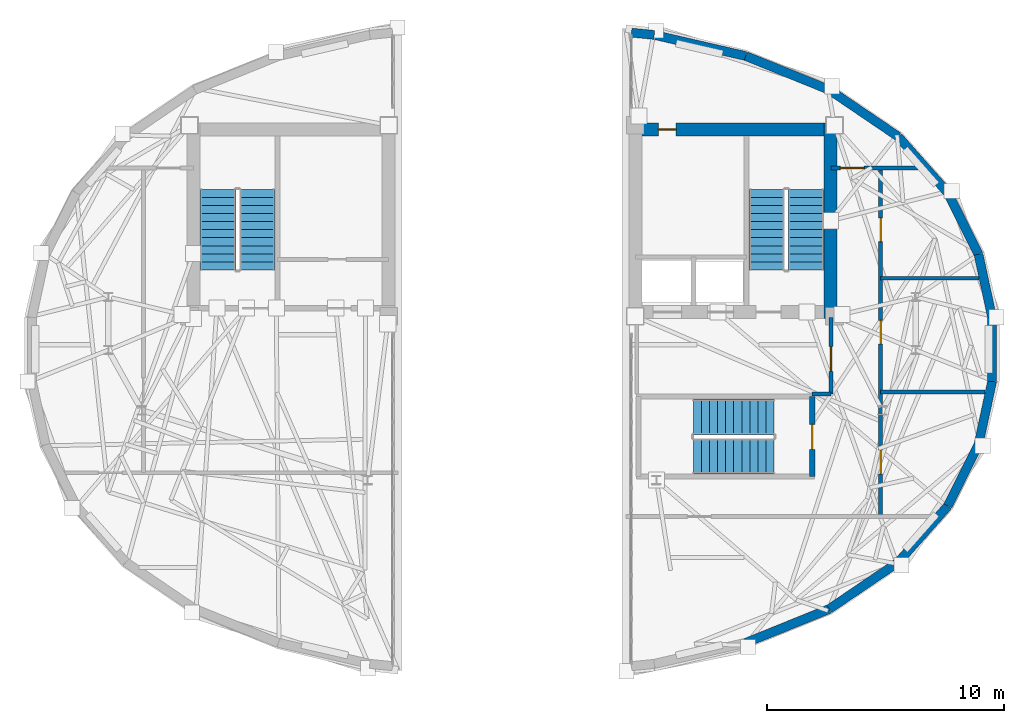
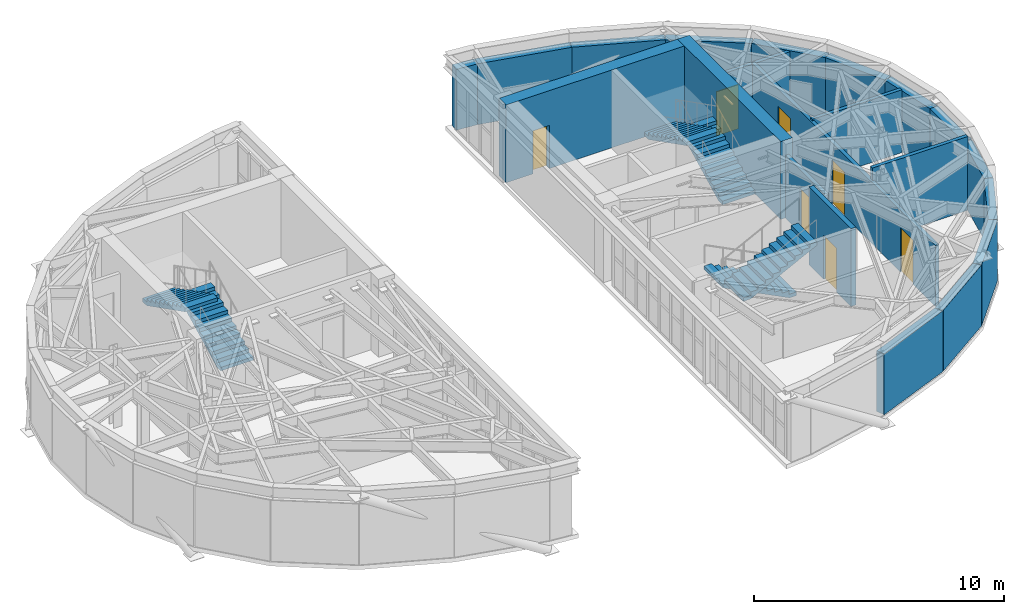
# One storey, part 10 of 13: 22 walls, 7 doors, 6 stair flights, 7 openings, 3 elements without a shape of their own.
"""IFC4 building model written with IfcOpenShell, lengths in metres."""

import ifcopenshell
import ifcopenshell.guid

model = None  # the IFC model being written
_history = None  # IfcOwnerHistory: only IFC2X3 demands one
_inside = {}  # id of a spatial element -> (the spatial element, [elements in it])
_under = {}  # id of a project, library or spatial element -> (it, [spatial elements below it])
_declared = {}  # id of a project -> (the project, [libraries it declares])
_typed = {}  # id of a type object -> (the type object, [elements of that type])
_made_of = {}  # id of a material, layer set ... -> (it, [elements and type objects made of it])


def new_model(schema):
    """Start an empty IFC model of exactly this schema.

    Asked for "IFC4X3", IfcOpenShell would pick the latest addendum, in which some entities
    have other attributes; the version numbers below select the first issue.
    IFC2X3 requires an IfcOwnerHistory on every rooted entity: one is made here for all.
    """
    global model, _history
    if schema == "IFC4X3":
        model = ifcopenshell.file(schema_version=(4, 3, 0, 0))
    else:
        model = ifcopenshell.file(schema=schema)
    _inside.clear()
    _under.clear()
    _declared.clear()
    _typed.clear()
    _made_of.clear()
    _history = None
    if model.schema == "IFC2X3":
        org = make("IfcOrganization", Name="unknown")
        user = make(
            "IfcPersonAndOrganization",
            ThePerson=make("IfcPerson", FamilyName="unknown"),
            TheOrganization=org,
        )
        app = make(
            "IfcApplication",
            ApplicationDeveloper=org,
            Version="unknown",
            ApplicationFullName="unknown",
            ApplicationIdentifier="unknown",
        )
        _history = make(
            "IfcOwnerHistory",
            OwningUser=user,
            OwningApplication=app,
            ChangeAction="ADDED",
            CreationDate=0,
        )
    return model


def make(cls, **values):
    """One entity of the class cls with the attributes given. An attribute that is None is left unset."""
    return model.create_entity(
        cls, **{name: value for name, value in values.items() if value is not None}
    )


def rooted(cls, **values):
    """An entity with a GlobalId (a new one), such as an element, a storey or a relation."""
    return make(cls, GlobalId=ifcopenshell.guid.new(), OwnerHistory=_history, **values)


def si_unit(unit_type, name, prefix=None):
    """IfcSIUnit, for example si_unit("LENGTHUNIT", "METRE", prefix="MILLI")."""
    return make("IfcSIUnit", UnitType=unit_type, Prefix=prefix, Name=name)


def assignment(units):
    """IfcUnitAssignment: the units of a project."""
    return None if units is None else make("IfcUnitAssignment", Units=units)


def point(xyz):
    """IfcCartesianPoint."""
    return None if xyz is None else make("IfcCartesianPoint", Coordinates=xyz)


def direction(xyz):
    """IfcDirection."""
    return None if xyz is None else make("IfcDirection", DirectionRatios=xyz)


def frame(location, z_axis=None, x_axis=None):
    """IfcAxis2Placement3D, a coordinate frame: its origin and axes. An axis left out is left unset."""
    return make(
        "IfcAxis2Placement3D",
        Location=point(location),
        Axis=direction(z_axis),
        RefDirection=direction(x_axis),
    )


def frame_2d(location, x_axis=None):
    """IfcAxis2Placement2D, a coordinate frame in the plane: its origin and x axis."""
    return make(
        "IfcAxis2Placement2D", Location=point(location), RefDirection=direction(x_axis)
    )


def origin():
    """The frame at (0, 0, 0) with its axes left unset."""
    return frame((0.0, 0.0, 0.0))


def place(relative_to, where):
    """IfcLocalPlacement: puts the frame where relative to a parent placement (None: the world)."""
    return make(
        "IfcLocalPlacement", PlacementRelTo=relative_to, RelativePlacement=where
    )


def context(
    kind, dimensions, precision=None, world=None, true_north=None, identifier=None
):
    """IfcGeometricRepresentationContext, for example the 3D "Model" context."""
    return make(
        "IfcGeometricRepresentationContext",
        ContextIdentifier=identifier,
        ContextType=kind,
        CoordinateSpaceDimension=dimensions,
        Precision=precision,
        WorldCoordinateSystem=world,
        TrueNorth=true_north,
    )


def subcontext(parent, identifier, kind, view, scale=None):
    """IfcGeometricRepresentationSubContext, for example "Body" below "Model"."""
    return make(
        "IfcGeometricRepresentationSubContext",
        ContextIdentifier=identifier,
        ContextType=kind,
        ParentContext=parent,
        TargetScale=scale,
        TargetView=view,
    )


def project(units=None, contexts=None):
    """IfcProject with its units and contexts."""
    return rooted(
        "IfcProject",
        Name="project",
        RepresentationContexts=contexts,
        UnitsInContext=assignment(units),
    )


def spatial(cls, under=None, at=None, **own):
    """A site, building, storey or space (cls), placed at a placement, below another one or the project."""
    s = rooted(cls, ObjectPlacement=at, **own)
    if under is not None:
        _under.setdefault(under.id(), (under, []))[1].append(s)
    return s


def polyline(points):
    """IfcPolyline through the points."""
    return make("IfcPolyline", Points=[point(p) for p in points])


def profile(cls, at=None, kind="AREA", **sizes):
    """A parametric profile (cls). Its sizes go by their IFC names, for example OverallWidth=200.0."""
    return make(cls, ProfileType=kind, Position=at, **sizes)


def rectangle(**sizes):
    """IfcRectangleProfileDef."""
    return profile("IfcRectangleProfileDef", **sizes)


def outline(outer, holes=None, kind="AREA"):
    """IfcArbitraryClosedProfileDef: a profile drawn as a closed curve; with holes, ...WithVoids."""
    if holes is None:
        return make("IfcArbitraryClosedProfileDef", ProfileType=kind, OuterCurve=outer)
    return make(
        "IfcArbitraryProfileDefWithVoids",
        ProfileType=kind,
        OuterCurve=outer,
        InnerCurves=holes,
    )


def extrude(swept, where, along, depth):
    """IfcExtrudedAreaSolid: the profile swept, set in the frame where, extruded along a direction by depth."""
    return make(
        "IfcExtrudedAreaSolid",
        SweptArea=swept,
        Position=where,
        ExtrudedDirection=direction(along),
        Depth=depth,
    )


def shape(context_of_items, identifier, shape_type, items):
    """IfcShapeRepresentation: the items that make up one representation, for example the "Body"."""
    return make(
        "IfcShapeRepresentation",
        ContextOfItems=context_of_items,
        RepresentationIdentifier=identifier,
        RepresentationType=shape_type,
        Items=items,
    )


def material(Name=None, Category=None):
    """IfcMaterial."""
    return make("IfcMaterial", Name=Name, Category=Category)


def layer(
    of_material, thickness, ventilated=None, Name=None, Category=None, Priority=None
):
    """IfcMaterialLayer: one layer of a wall or slab, of a material (None: an air gap)."""
    return make(
        "IfcMaterialLayer",
        Material=of_material,
        LayerThickness=thickness,
        IsVentilated=ventilated,
        Name=Name,
        Category=Category,
        Priority=Priority,
    )


def layer_set(layers, Name=None):
    """IfcMaterialLayerSet."""
    return make("IfcMaterialLayerSet", MaterialLayers=layers, LayerSetName=Name)


def made_of(thing, what):
    """Note that an element or type object is made of a material, layer set ...; save() writes the relation."""
    if what is not None:
        _made_of.setdefault(what.id(), (what, []))[1].append(thing)
    return thing


def type_object(cls, material=None, **own):
    """A type object (cls), such as IfcWallType, which elements share."""
    return made_of(rooted(cls, **own), material)


def element(
    cls,
    number,
    at=None,
    inside=None,
    cuts=None,
    type_object=None,
    material=None,
    context=None,
    identifier="Body",
    shape_type=None,
    held_by="IfcProductDefinitionShape",
    body=None,
    shapes=None,
    **own,
):
    """One element of the class cls, such as IfcWall. Its Tag is "e" and its number.

    at: its placement. inside: the storey or other place that contains it. cuts: it is an
    opening in that element (IfcRelVoidsElement). A single representation is given by context,
    identifier, shape_type and body (its items); several are given by shapes. held_by: the class
    of the entity that holds the representations. save() writes the other relations.
    """
    e = rooted(cls, Tag="e%d" % number, ObjectPlacement=at, **own)
    if body is not None:
        shapes = [shape(context, identifier, shape_type, body)]
    if shapes is not None:
        e.Representation = make(held_by, Representations=shapes)
    if inside is not None:
        _inside.setdefault(inside.id(), (inside, []))[1].append(e)
    if cuts is not None:
        rooted(
            "IfcRelVoidsElement", RelatingBuildingElement=cuts, RelatedOpeningElement=e
        )
    if type_object is not None:
        _typed.setdefault(type_object.id(), (type_object, []))[1].append(e)
    return made_of(e, material)


def fill(opening, filler):
    """IfcRelFillsElement: the door or window that sits in an opening."""
    return rooted(
        "IfcRelFillsElement",
        RelatingOpeningElement=opening,
        RelatedBuildingElement=filler,
    )


def aggregate(whole, parts):
    """IfcRelAggregates: a whole, such as a stair, and the parts it consists of."""
    return rooted("IfcRelAggregates", RelatingObject=whole, RelatedObjects=parts)


def save(model, path):
    """Write the relations noted so far, then the file.

    IfcRelAggregates (storeys below a building ...), IfcRelContainedInSpatialStructure (elements
    in a storey), IfcRelDefinesByType, IfcRelAssociatesMaterial and IfcRelDeclares: one each for
    every whole, place, type object, material and project.
    """
    for whole, parts in _under.values():
        aggregate(whole, parts)
    for where, things in _inside.values():
        rooted(
            "IfcRelContainedInSpatialStructure",
            RelatedElements=things,
            RelatingStructure=where,
        )
    for kind, things in _typed.values():
        rooted("IfcRelDefinesByType", RelatedObjects=things, RelatingType=kind)
    for what, things in _made_of.values():
        rooted("IfcRelAssociatesMaterial", RelatedObjects=things, RelatingMaterial=what)
    for by, libraries in _declared.values():
        rooted("IfcRelDeclares", RelatingContext=by, RelatedDefinitions=libraries)
    model.write(path)


model = new_model("IFC4")

# Units and contexts
model_context = context("Model", 3, precision=1e-05, world=origin(), true_north=direction((0.0, 1.0)))
body_context = subcontext(model_context, "Body", "Model", "MODEL_VIEW")
ifc_project = project(units=[si_unit("LENGTHUNIT", "METRE"), si_unit("AREAUNIT", "SQUARE_METRE"), si_unit("VOLUMEUNIT", "CUBIC_METRE"), si_unit("PLANEANGLEUNIT", "RADIAN"), si_unit("MASSUNIT", "GRAM", prefix="KILO")], contexts=[model_context])

# Site, building, storey
site_placement = place(None, origin())
site = spatial("IfcSite", under=ifc_project, at=site_placement, CompositionType="ELEMENT")
building_placement = place(site_placement, origin())
building = spatial("IfcBuilding", under=site, at=building_placement, Name="Keldmark Tower", CompositionType="ELEMENT")
storey_placement = place(building_placement, frame((0.0, 0.0, 276.800048828125)))
storey = spatial("IfcBuildingStorey", under=building, at=storey_placement, Name="L78", CompositionType="ELEMENT", Elevation=276.800048828125)

# Walls
ifc_material_1 = material(Name="Kasota Buff Limestone Ashlar Masonry", Category="masonry")
ifc_layer_1 = layer(ifc_material_1, 0.3798828125)
ifc_layer_set_1 = layer_set([ifc_layer_1], Name="Kasota Buff Limestone Ashlar Masonry")
wall_type_1 = type_object("IfcWallType", Name="Crown Kasota Limestone Screen Wall 380 mm", PredefinedType="ELEMENTEDWALL", material=ifc_layer_set_1)
wall_1_placement = place(storey_placement, frame((9.85888671875, 12.3740234375, 0.0), z_axis=(0.0, 0.0, 1.0), x_axis=(-0.974441030185, 0.224643447918, 0.0)))
element("IfcWall", 1, at=wall_1_placement, inside=storey, type_object=wall_type_1, Name="L78 Crown Limestone Enclosure Wall E01", PredefinedType="ELEMENTEDWALL", context=body_context, shape_type="SweptSolid", body=[
    extrude(rectangle(XDim=3.96142578125, YDim=0.3798828125, at=frame_2d((1.980712890625, 0.0))), origin(), (0.0, 0.0, 1.0), 2.969970703125),
])
wall_2_placement = place(storey_placement, frame((13.38525390625, 10.94482421875, 0.0), z_axis=(0.0, 0.0, 1.0), x_axis=(-0.926776699004, 0.375612766268, 0.0)))
element("IfcWall", 2, at=wall_2_placement, inside=storey, type_object=wall_type_1, Name="L78 Crown Limestone Enclosure Wall E02", PredefinedType="ELEMENTEDWALL", context=body_context, shape_type="SweptSolid", body=[
    extrude(rectangle(XDim=3.804931640625, YDim=0.3798828125, at=frame_2d((1.90234375, 0.0))), origin(), (0.0, 0.0, 1.0), 2.969970703125),
])
wall_3_placement = place(storey_placement, frame((16.28857421875, 8.975341796875, 0.0), z_axis=(0.0, 0.0, 1.0), x_axis=(-0.827558908117, 0.561378885955, 0.0)))
element("IfcWall", 3, at=wall_3_placement, inside=storey, type_object=wall_type_1, Name="L78 Crown Limestone Enclosure Wall E03", PredefinedType="ELEMENTEDWALL", context=body_context, shape_type="SweptSolid", body=[
    extrude(rectangle(XDim=3.50830078125, YDim=0.3798828125, at=frame_2d((1.754150390625, 0.0))), origin(), (0.0, 0.0, 1.0), 2.969970703125),
])
wall_4_placement = place(storey_placement, frame((18.37939453125, 6.6015625, 0.0), z_axis=(0.0, 0.0, 1.0), x_axis=(-0.660965358004, 0.750416414745, 0.0)))
element("IfcWall", 4, at=wall_4_placement, inside=storey, type_object=wall_type_1, Name="L78 Crown Limestone Enclosure Wall E04", PredefinedType="ELEMENTEDWALL", context=body_context, shape_type="SweptSolid", body=[
    extrude(rectangle(XDim=3.163330078125, YDim=0.3798828125, at=frame_2d((1.58154296875, 0.0))), origin(), (0.0, 0.0, 1.0), 2.969970703125),
])
wall_5_placement = place(storey_placement, frame((19.675048828125, 4.015380859375, 0.0), z_axis=(0.0, 0.0, 1.0), x_axis=(-0.447922433418, 0.894072420803, 0.0)))
element("IfcWall", 5, at=wall_5_placement, inside=storey, type_object=wall_type_1, Name="L78 Crown Limestone Enclosure Wall E05", PredefinedType="ELEMENTEDWALL", context=body_context, shape_type="SweptSolid", body=[
    extrude(rectangle(XDim=2.892578125, YDim=0.3798828125, at=frame_2d((1.4462890625, 0.0))), origin(), (0.0, 0.0, 1.0), 2.969970703125),
])
wall_6_placement = place(storey_placement, frame((20.2490234375, 1.343505859375, 0.0), z_axis=(0.0, 0.0, 1.0), x_axis=(-0.210029343878, 0.977695082687, 0.0)))
element("IfcWall", 6, at=wall_6_placement, inside=storey, type_object=wall_type_1, Name="L78 Crown Limestone Enclosure Wall E06", PredefinedType="ELEMENTEDWALL", context=body_context, shape_type="SweptSolid", body=[
    extrude(rectangle(XDim=2.73291015625, YDim=0.3798828125, at=frame_2d((1.366455078125, 0.0))), origin(), (0.0, 0.0, 1.0), 2.969970703125),
])
wall_7_placement = place(storey_placement, frame((20.2490234375, -1.343505859375, 0.0), z_axis=(0.0, 0.0, 1.0), x_axis=(0.0, 1.0, 0.0)))
element("IfcWall", 7, at=wall_7_placement, inside=storey, type_object=wall_type_1, Name="L78 Crown Limestone Enclosure Wall E07", PredefinedType="ELEMENTEDWALL", context=body_context, shape_type="SweptSolid", body=[
    extrude(rectangle(XDim=2.68701171875, YDim=0.3798828125, at=frame_2d((1.343505859375, 0.0))), origin(), (0.0, 0.0, 1.0), 2.969970703125),
])
wall_8_placement = place(storey_placement, frame((19.675048828125, -4.015380859375, 0.0), z_axis=(0.0, 0.0, 1.0), x_axis=(0.210029343878, 0.977695082687, 0.0)))
element("IfcWall", 8, at=wall_8_placement, inside=storey, type_object=wall_type_1, Name="L78 Crown Limestone Enclosure Wall E08", PredefinedType="ELEMENTEDWALL", context=body_context, shape_type="SweptSolid", body=[
    extrude(rectangle(XDim=2.73291015625, YDim=0.3798828125, at=frame_2d((1.366455078125, 0.0))), origin(), (0.0, 0.0, 1.0), 2.969970703125),
])
wall_9_placement = place(storey_placement, frame((18.37939453125, -6.6015625, 0.0), z_axis=(0.0, 0.0, 1.0), x_axis=(0.447922433418, 0.894072420803, 0.0)))
element("IfcWall", 9, at=wall_9_placement, inside=storey, type_object=wall_type_1, Name="L78 Crown Limestone Enclosure Wall E09", PredefinedType="ELEMENTEDWALL", context=body_context, shape_type="SweptSolid", body=[
    extrude(rectangle(XDim=2.892578125, YDim=0.3798828125, at=frame_2d((1.4462890625, 0.0))), origin(), (0.0, 0.0, 1.0), 2.969970703125),
])
wall_10_placement = place(storey_placement, frame((16.28857421875, -8.975341796875, 0.0), z_axis=(0.0, 0.0, 1.0), x_axis=(0.660965358004, 0.750416414745, 0.0)))
element("IfcWall", 10, at=wall_10_placement, inside=storey, type_object=wall_type_1, Name="L78 Crown Limestone Enclosure Wall E10", PredefinedType="ELEMENTEDWALL", context=body_context, shape_type="SweptSolid", body=[
    extrude(rectangle(XDim=3.163330078125, YDim=0.3798828125, at=frame_2d((1.58154296875, 0.0))), origin(), (0.0, 0.0, 1.0), 2.969970703125),
])
wall_11_placement = place(storey_placement, frame((13.38525390625, -10.94482421875, 0.0), z_axis=(0.0, 0.0, 1.0), x_axis=(0.827558908117, 0.561378885955, 0.0)))
element("IfcWall", 11, at=wall_11_placement, inside=storey, type_object=wall_type_1, Name="L78 Crown Limestone Enclosure Wall E11", PredefinedType="ELEMENTEDWALL", context=body_context, shape_type="SweptSolid", body=[
    extrude(rectangle(XDim=3.50830078125, YDim=0.3798828125, at=frame_2d((1.754150390625, 0.0))), origin(), (0.0, 0.0, 1.0), 2.969970703125),
])
wall_12_placement = place(storey_placement, frame((9.85888671875, -12.3740234375, 0.0), z_axis=(0.0, 0.0, 1.0), x_axis=(0.926776699004, 0.375612766268, 0.0)))
element("IfcWall", 12, at=wall_12_placement, inside=storey, type_object=wall_type_1, Name="L78 Crown Limestone Enclosure Wall E12", PredefinedType="ELEMENTEDWALL", context=body_context, shape_type="SweptSolid", body=[
    extrude(rectangle(XDim=3.804931640625, YDim=0.3798828125, at=frame_2d((1.90234375, 0.0))), origin(), (0.0, 0.0, 1.0), 2.969970703125),
])
wall_13_placement = place(storey_placement, frame((5.998779296875, 13.263916015625, 0.0), z_axis=(0.0, 0.0, 1.0), x_axis=(-0.995154416473, 0.098324398674, 0.0)))
element("IfcWall", 13, at=wall_13_placement, inside=storey, type_object=wall_type_1, Name="L78 Crown Limestone Enclosure Wall E16", PredefinedType="ELEMENTEDWALL", context=body_context, shape_type="SweptSolid", body=[
    extrude(rectangle(XDim=0.96337890625, YDim=0.3798828125, at=frame_2d((0.481689453125, 0.0))), origin(), (0.0, 0.0, 1.0), 2.969970703125),
])
ifc_material_2 = material(Name="Concrete C50/60", Category="concrete")
ifc_layer_2 = layer(ifc_material_2, 0.550048828125)
ifc_layer_set_2 = layer_set([ifc_layer_2], Name="Concrete C50/60")
wall_type_2 = type_object("IfcWallType", Name="High-Rise Core Shear Wall 550 mm", PredefinedType="SHEAR", material=ifc_layer_set_2)
wall_14_placement = place(storey_placement, frame((13.425048828125, 1.300048828125, 0.0), z_axis=(0.0, 0.0, 1.0), x_axis=(0.0, 1.0, 0.0)))
element("IfcWall", 14, at=wall_14_placement, inside=storey, type_object=wall_type_2, Name="L78 East Crown Core East Wall", PredefinedType="SHEAR", context=body_context, shape_type="SweptSolid", body=[
    extrude(rectangle(XDim=8.25, YDim=0.550048828125, at=frame_2d((4.125, 0.0))), origin(), (0.0, 0.0, 1.0), 3.800048828125),
])

# Wall, opening, door
wall_15_placement = place(storey_placement, frame((4.925048828125, 9.27490234375, 0.0), z_axis=(0.0, 0.0, 1.0), x_axis=(1.0, 0.0, 0.0)))
wall_15 = element("IfcWall", 15, at=wall_15_placement, inside=storey, type_object=wall_type_2, Name="L78 East Crown Core North Wall", PredefinedType="SHEAR", context=body_context, shape_type="SweptSolid", body=[
    extrude(rectangle(XDim=8.77490234375, YDim=0.550048828125, at=frame_2d((4.387451171875, 0.0))), origin(), (0.0, 0.0, 1.0), 3.800048828125),
])
opening_1_placement = place(wall_15_placement, frame((1.25, 0.0, 0.0)))
opening_1 = element("IfcOpeningElement", 16, at=opening_1_placement, cuts=wall_15, Name="Opening D-RS075", PredefinedType="OPENING", context=body_context, shape_type="SweptSolid", body=[
    extrude(rectangle(XDim=0.75, YDim=2.10009765625, at=frame_2d((0.375, 1.050048828125))), frame((0.0, 0.284912109375, 0.0), z_axis=(0.0, -1.0, 0.0), x_axis=(1.0, 0.0, 0.0)), (0.0, 0.0, 1.0), 0.570068359375),
])
ifc_material_3 = material(Name="Galvanized Fire-Rated Access Leaf", Category="metal")
door_type_1 = type_object("IfcDoorType", Name="Riser Access Door 750x2100", OperationType="NOTDEFINED", PredefinedType="DOOR", material=ifc_material_3)
door_1_placement = place(opening_1_placement, origin())
door_1 = element("IfcDoor", 17, at=door_1_placement, inside=storey, type_object=door_type_1, Name="L78 Riser Access Door 750x2100 D-EC-RIS-L78", OperationType="SINGLE_SWING_RIGHT", OverallHeight=2.10009765625, OverallWidth=0.75, PredefinedType="DOOR", context=body_context, shape_type="SweptSolid", body=[
    extrude(rectangle(XDim=0.75, YDim=2.10009765625, at=frame_2d((0.375, 1.050048828125))), frame((0.0, 0.02490234375, 0.0), z_axis=(0.0, -1.0, 0.0), x_axis=(1.0, 0.0, 0.0)), (0.0, 0.0, 1.0), 0.050048828125),
])
fill(opening_1, door_1)

ifc_material_4 = material(Name="Type X Fire-Rated Gypsum Partition Assembly", Category="gypsum")
ifc_layer_3 = layer(ifc_material_4, 0.1650390625)
ifc_layer_set_3 = layer_set([ifc_layer_3], Name="Type X Fire-Rated Gypsum Partition Assembly")
wall_type_3 = type_object("IfcWallType", Name="Rated Partition 165 mm", PredefinedType="PARTITIONING", material=ifc_layer_set_3)
wall_16_placement = place(storey_placement, frame((13.449951171875, -1.8798828125, 0.0), z_axis=(0.0, 0.0, 1.0), x_axis=(0.0, 1.0, 0.0)))
wall_16 = element("IfcWall", 18, at=wall_16_placement, inside=storey, type_object=wall_type_3, Name="L78 Rated Partition 165 mm EC-FSAE-E", PredefinedType="PARTITIONING", context=body_context, shape_type="SweptSolid", body=[
    extrude(rectangle(XDim=3.22998046875, YDim=0.1650390625, at=frame_2d((1.614990234375, 0.0))), origin(), (0.0, 0.0, 1.0), 3.06103515625),
])
opening_2_placement = place(wall_16_placement, frame((0.949951171875, 0.0, 0.0)))
opening_2 = element("IfcOpeningElement", 19, at=opening_2_placement, cuts=wall_16, Name="Opening D-FL105", PredefinedType="OPENING", context=body_context, shape_type="SweptSolid", body=[
    extrude(rectangle(XDim=1.050048828125, YDim=2.14990234375, at=frame_2d((0.52490234375, 1.074951171875))), frame((0.0, 0.092529296875, 0.0), z_axis=(0.0, -1.0, 0.0), x_axis=(1.0, 0.0, 0.0)), (0.0, 0.0, 1.0), 0.18505859375),
])
ifc_material_5 = material(Name="Fire-Rated Mineral-Core Door and Vision Lite", Category="metal")
door_type_2 = type_object("IfcDoorType", Name="Fire Lobby Door 1050x2150", OperationType="NOTDEFINED", PredefinedType="DOOR", material=ifc_material_5)
door_2_placement = place(opening_2_placement, origin())
door_2 = element("IfcDoor", 20, at=door_2_placement, inside=storey, type_object=door_type_2, Name="L78 Fire Lobby Door 1050x2150 D-ECFSAE-E-L78", OperationType="SINGLE_SWING_LEFT", OverallHeight=2.14990234375, OverallWidth=1.050048828125, PredefinedType="DOOR", context=body_context, shape_type="SweptSolid", body=[
    extrude(rectangle(XDim=1.050048828125, YDim=2.14990234375, at=frame_2d((0.52490234375, 1.074951171875))), frame((0.0, 0.02490234375, 0.0), z_axis=(0.0, -1.0, 0.0), x_axis=(1.0, 0.0, 0.0)), (0.0, 0.0, 1.0), 0.050048828125),
])
fill(opening_2, door_2)

# Wall
wall_17_placement = place(storey_placement, frame((12.659912109375, -1.8798828125, 0.0), z_axis=(0.0, 0.0, 1.0), x_axis=(1.0, 0.0, 0.0)))
element("IfcWall", 21, at=wall_17_placement, inside=storey, type_object=wall_type_3, Name="L78 Rated Partition 165 mm EC-FSAE-S", PredefinedType="PARTITIONING", context=body_context, shape_type="SweptSolid", body=[
    extrude(rectangle(XDim=0.7900390625, YDim=0.1650390625, at=frame_2d((0.39501953125, 0.0))), origin(), (0.0, 0.0, 1.0), 3.06103515625),
])

# Wall, openings, doors
wall_18_placement = place(storey_placement, frame((15.550048828125, -7.050048828125, 0.0), z_axis=(0.0, 0.0, 1.0), x_axis=(0.0, 1.0, 0.0)))
wall_18 = element("IfcWall", 22, at=wall_18_placement, inside=storey, type_object=wall_type_3, Name="L78 Rated Partition 165 mm EC-ECOR-E", PredefinedType="PARTITIONING", context=body_context, shape_type="SweptSolid", body=[
    extrude(rectangle(XDim=14.699951171875, YDim=0.1650390625, at=frame_2d((7.35009765625, 0.0))), origin(), (0.0, 0.0, 1.0), 2.987060546875),
])
opening_3_placement = place(wall_18_placement, frame((1.800048828125, 0.0, 0.0)))
opening_3 = element("IfcOpeningElement", 23, at=opening_3_placement, cuts=wall_18, Name="Opening D-FD100", PredefinedType="OPENING", context=body_context, shape_type="SweptSolid", body=[
    extrude(rectangle(XDim=1.0, YDim=2.14990234375, at=frame_2d((0.5, 1.074951171875))), frame((0.0, 0.092529296875, 0.0), z_axis=(0.0, -1.0, 0.0), x_axis=(1.0, 0.0, 0.0)), (0.0, 0.0, 1.0), 0.18505859375),
])
opening_4_placement = place(wall_18_placement, frame((7.280029296875, 0.0, 0.0)))
opening_4 = element("IfcOpeningElement", 24, at=opening_4_placement, cuts=wall_18, Name="Opening D-FD100", PredefinedType="OPENING", context=body_context, shape_type="SweptSolid", body=[
    extrude(rectangle(XDim=1.0, YDim=2.14990234375, at=frame_2d((0.5, 1.074951171875))), frame((0.0, 0.092529296875, 0.0), z_axis=(0.0, -1.0, 0.0), x_axis=(1.0, 0.0, 0.0)), (0.0, 0.0, 1.0), 0.18505859375),
])
opening_5_placement = place(wall_18_placement, frame((11.60009765625, 0.0, 0.0)))
opening_5 = element("IfcOpeningElement", 25, at=opening_5_placement, cuts=wall_18, Name="Opening D-FD100", PredefinedType="OPENING", context=body_context, shape_type="SweptSolid", body=[
    extrude(rectangle(XDim=1.0, YDim=2.14990234375, at=frame_2d((0.5, 1.074951171875))), frame((0.0, 0.092529296875, 0.0), z_axis=(0.0, -1.0, 0.0), x_axis=(1.0, 0.0, 0.0)), (0.0, 0.0, 1.0), 0.18505859375),
])
ifc_material_6 = material(Name="Hollow Metal Fire-Rated Corridor Door", Category="metal")
door_type_3 = type_object("IfcDoorType", Name="Fire Door 1000x2150", OperationType="NOTDEFINED", PredefinedType="DOOR", material=ifc_material_6)
door_3_placement = place(opening_3_placement, origin())
door_3 = element("IfcDoor", 26, at=door_3_placement, inside=storey, type_object=door_type_3, Name="L78 Fire Door 1000x2150 D-ECPE1-L78", OperationType="SINGLE_SWING_LEFT", OverallHeight=2.14990234375, OverallWidth=1.0, PredefinedType="DOOR", context=body_context, shape_type="SweptSolid", body=[
    extrude(rectangle(XDim=1.0, YDim=2.14990234375, at=frame_2d((0.5, 1.074951171875))), frame((0.0, 0.02490234375, 0.0), z_axis=(0.0, -1.0, 0.0), x_axis=(1.0, 0.0, 0.0)), (0.0, 0.0, 1.0), 0.050048828125),
])
fill(opening_3, door_3)
door_4_placement = place(opening_4_placement, origin())
door_4 = element("IfcDoor", 27, at=door_4_placement, inside=storey, type_object=door_type_3, Name="L78 Fire Door 1000x2150 D-ECPE2-L78", OperationType="SINGLE_SWING_RIGHT", OverallHeight=2.14990234375, OverallWidth=1.0, PredefinedType="DOOR", context=body_context, shape_type="SweptSolid", body=[
    extrude(rectangle(XDim=1.0, YDim=2.14990234375, at=frame_2d((0.5, 1.074951171875))), frame((0.0, 0.02490234375, 0.0), z_axis=(0.0, -1.0, 0.0), x_axis=(1.0, 0.0, 0.0)), (0.0, 0.0, 1.0), 0.050048828125),
])
fill(opening_4, door_4)
door_5_placement = place(opening_5_placement, origin())
door_5 = element("IfcDoor", 28, at=door_5_placement, inside=storey, type_object=door_type_3, Name="L78 Fire Door 1000x2150 D-ECPE3-L78", OperationType="SINGLE_SWING_LEFT", OverallHeight=2.14990234375, OverallWidth=1.0, PredefinedType="DOOR", context=body_context, shape_type="SweptSolid", body=[
    extrude(rectangle(XDim=1.0, YDim=2.14990234375, at=frame_2d((0.5, 1.074951171875))), frame((0.0, 0.02490234375, 0.0), z_axis=(0.0, -1.0, 0.0), x_axis=(1.0, 0.0, 0.0)), (0.0, 0.0, 1.0), 0.050048828125),
])
fill(opening_5, door_5)

# Wall, opening, door
wall_19_placement = place(storey_placement, frame((13.449951171875, 7.64990234375, 0.0), z_axis=(0.0, 0.0, 1.0), x_axis=(1.0, 0.0, 0.0)))
wall_19 = element("IfcWall", 29, at=wall_19_placement, inside=storey, type_object=wall_type_3, Name="L78 Rated Partition 165 mm EC-NCAP", PredefinedType="PARTITIONING", context=body_context, shape_type="SweptSolid", body=[
    extrude(rectangle(XDim=3.741943359375, YDim=0.1650390625, at=frame_2d((1.87109375, 0.0))), origin(), (0.0, 0.0, 1.0), 2.968017578125),
])
opening_6_placement = place(wall_19_placement, frame((0.39990234375, 0.0, 0.0)))
opening_6 = element("IfcOpeningElement", 30, at=opening_6_placement, cuts=wall_19, Name="Opening D-FD100", PredefinedType="OPENING", context=body_context, shape_type="SweptSolid", body=[
    extrude(rectangle(XDim=1.0, YDim=2.14990234375, at=frame_2d((0.5, 1.074951171875))), frame((0.0, 0.092529296875, 0.0), z_axis=(0.0, -1.0, 0.0), x_axis=(1.0, 0.0, 0.0)), (0.0, 0.0, 1.0), 0.18505859375),
])
door_6_placement = place(opening_6_placement, origin())
door_6 = element("IfcDoor", 31, at=door_6_placement, inside=storey, type_object=door_type_3, Name="L78 Fire Door 1000x2150 D-ECPN-L78", OperationType="SINGLE_SWING_LEFT", OverallHeight=2.14990234375, OverallWidth=1.0, PredefinedType="DOOR", context=body_context, shape_type="SweptSolid", body=[
    extrude(rectangle(XDim=1.0, YDim=2.14990234375, at=frame_2d((0.5, 1.074951171875))), frame((0.0, 0.02490234375, 0.0), z_axis=(0.0, -1.0, 0.0), x_axis=(1.0, 0.0, 0.0)), (0.0, 0.0, 1.0), 0.050048828125),
])
fill(opening_6, door_6)

# Walls
wall_20_placement = place(storey_placement, frame((15.550048828125, -1.800048828125, 0.0), z_axis=(0.0, 0.0, 1.0), x_axis=(1.0, 0.0, 0.0)))
element("IfcWall", 32, at=wall_20_placement, inside=storey, type_object=wall_type_3, Name="L78 Rated Partition 165 mm EC-EDIV1", PredefinedType="PARTITIONING", context=body_context, shape_type="SweptSolid", body=[
    extrude(rectangle(XDim=4.3984375, YDim=0.1650390625, at=frame_2d((2.19921875, 0.0))), origin(), (0.0, 0.0, 1.0), 3.599853515625),
])
wall_21_placement = place(storey_placement, frame((15.550048828125, 3.0, 0.0), z_axis=(0.0, 0.0, 1.0), x_axis=(1.0, 0.0, 0.0)))
element("IfcWall", 33, at=wall_21_placement, inside=storey, type_object=wall_type_3, Name="L78 Rated Partition 165 mm EC-EDIV2", PredefinedType="PARTITIONING", context=body_context, shape_type="SweptSolid", body=[
    extrude(rectangle(XDim=4.140625, YDim=0.1650390625, at=frame_2d((2.0703125, 0.0))), origin(), (0.0, 0.0, 1.0), 3.06103515625),
])

# Wall, opening, door
ifc_material_7 = material(Name="Concrete C50/60", Category="concrete")
ifc_layer_4 = layer(ifc_material_7, 0.219970703125)
ifc_layer_set_4 = layer_set([ifc_layer_4], Name="Concrete C50/60")
wall_type_4 = type_object("IfcWallType", Name="Stair Core Shear Wall 220 mm", PredefinedType="SHEAR", material=ifc_layer_set_4)
wall_22_placement = place(storey_placement, frame((12.659912109375, -5.360107421875, 0.0), z_axis=(0.0, 0.0, 1.0), x_axis=(0.0, 1.0, 0.0)))
wall_22 = element("IfcWall", 34, at=wall_22_placement, inside=storey, type_object=wall_type_4, Name="L78 East Crown Stair ST4 East Wall", PredefinedType="SHEAR", context=body_context, shape_type="SweptSolid", body=[
    extrude(rectangle(XDim=3.3701171875, YDim=0.219970703125, at=frame_2d((1.68505859375, 0.0))), origin(), (0.0, 0.0, 1.0), 3.800048828125),
])
opening_7_placement = place(wall_22_placement, frame((1.14990234375, 0.0, 0.0)))
opening_7 = element("IfcOpeningElement", 35, at=opening_7_placement, cuts=wall_22, Name="Opening D-ST105", PredefinedType="OPENING", context=body_context, shape_type="SweptSolid", body=[
    extrude(rectangle(XDim=1.050048828125, YDim=2.14990234375, at=frame_2d((0.52490234375, 1.074951171875))), frame((0.0, 0.119873046875, 0.0), z_axis=(0.0, -1.0, 0.0), x_axis=(1.0, 0.0, 0.0)), (0.0, 0.0, 1.0), 0.239990234375),
])
ifc_material_8 = material(Name="Hollow Metal Fire-Rated Door Assembly", Category="metal")
door_type_4 = type_object("IfcDoorType", Name="Stair Fire Door 1050x2150", OperationType="NOTDEFINED", PredefinedType="DOOR", material=ifc_material_8)
door_7_placement = place(opening_7_placement, origin())
door_7 = element("IfcDoor", 36, at=door_7_placement, inside=storey, type_object=door_type_4, Name="L78 Stair Fire Door 1050x2150 D-ST4-L78", OperationType="SINGLE_SWING_RIGHT", OverallHeight=2.14990234375, OverallWidth=1.050048828125, PredefinedType="DOOR", context=body_context, shape_type="SweptSolid", body=[
    extrude(rectangle(XDim=1.050048828125, YDim=2.14990234375, at=frame_2d((0.52490234375, 1.074951171875))), frame((0.0, 0.02490234375, 0.0), z_axis=(0.0, -1.0, 0.0), x_axis=(1.0, 0.0, 0.0)), (0.0, 0.0, 1.0), 0.050048828125),
])
fill(opening_7, door_7)

# Stair, stair flights
ifc_material_9 = material(Name="Concrete C40/50", Category="concrete")
stair_type = type_object("IfcStairType", Name="Precast Concrete Core Exit Stair", PredefinedType="HALF_TURN_STAIR", material=ifc_material_9)
stair_1_placement = place(storey_placement, origin())
stair_1 = element("IfcStair", 37, at=stair_1_placement, inside=storey, type_object=stair_type, Name="L78 Exit Stair ST1", PredefinedType="HALF_TURN_STAIR")
ifc_material_10 = material(Name="Concrete C40/50", Category="concrete")
stair_flight_type = type_object("IfcStairFlightType", Name="Precast Concrete Stair Flight 1500 mm", PredefinedType="STRAIGHT", material=ifc_material_10)
stair_flight_1_placement = place(storey_placement, frame((-10.75, 3.35009765625, 0.0), z_axis=(0.0, 0.0, 1.0), x_axis=(0.0, 1.0, 0.0)))
stair_flight_1 = element("IfcStairFlight", 38, at=stair_flight_1_placement, type_object=stair_flight_type, Name="ST1 flight 1", NumberOfRisers=11, NumberOfTreads=10, PredefinedType="STRAIGHT", RiserHeight=0.172727273, TreadLength=0.34, context=body_context, shape_type="SweptSolid", body=[
    extrude(outline(polyline([(0.0, 0.0), (0.0, 0.172607421875), (0.340087890625, 0.172607421875), (0.340087890625, 0.345458984375), (0.679931640625, 0.345458984375), (0.679931640625, 0.51806640625), (1.02001953125, 0.51806640625), (1.02001953125, 0.69091796875), (1.360107421875, 0.69091796875), (1.360107421875, 0.863525390625), (1.699951171875, 0.863525390625), (1.699951171875, 1.036376953125), (2.0400390625, 1.036376953125), (2.0400390625, 1.208984375), (2.3798828125, 1.208984375), (2.3798828125, 1.3818359375), (2.719970703125, 1.3818359375), (2.719970703125, 1.554443359375), (3.06005859375, 1.554443359375), (3.06005859375, 1.727294921875), (3.39990234375, 1.727294921875), (3.39990234375, 1.89990234375), (3.39990234375, 1.55908203125), (0.3310546875, 0.0), (0.0, 0.0)])), frame((0.0, 0.75, 0.0), z_axis=(0.0, -1.0, 0.0), x_axis=(1.0, 0.0, 0.0)), (0.0, 0.0, 1.0), 1.5),
])
stair_flight_2_placement = place(storey_placement, frame((-12.39990234375, 6.75, 1.89990234375), z_axis=(0.0, 0.0, 1.0), x_axis=(0.0, -1.0, 0.0)))
stair_flight_2 = element("IfcStairFlight", 39, at=stair_flight_2_placement, type_object=stair_flight_type, Name="ST1 flight 2", NumberOfRisers=11, NumberOfTreads=10, PredefinedType="STRAIGHT", RiserHeight=0.172727273, TreadLength=0.34, context=body_context, shape_type="SweptSolid", body=[
    extrude(outline(polyline([(0.0, 0.0), (0.0, 0.172607421875), (0.340087890625, 0.172607421875), (0.340087890625, 0.345458984375), (0.679931640625, 0.345458984375), (0.679931640625, 0.51806640625), (1.02001953125, 0.51806640625), (1.02001953125, 0.69091796875), (1.360107421875, 0.69091796875), (1.360107421875, 0.863525390625), (1.699951171875, 0.863525390625), (1.699951171875, 1.036376953125), (2.0400390625, 1.036376953125), (2.0400390625, 1.208984375), (2.3798828125, 1.208984375), (2.3798828125, 1.3818359375), (2.719970703125, 1.3818359375), (2.719970703125, 1.554443359375), (3.06005859375, 1.554443359375), (3.06005859375, 1.727294921875), (3.39990234375, 1.727294921875), (3.39990234375, 1.89990234375), (3.39990234375, 1.55908203125), (0.3310546875, 0.0), (0.0, 0.0)])), frame((0.0, 0.75, 0.0), z_axis=(0.0, -1.0, 0.0), x_axis=(1.0, 0.0, 0.0)), (0.0, 0.0, 1.0), 1.5),
])
aggregate(stair_1, [stair_flight_1, stair_flight_2])

stair_2_placement = place(storey_placement, origin())
stair_2 = element("IfcStair", 40, at=stair_2_placement, inside=storey, type_object=stair_type, Name="L78 Exit Stair ST2", PredefinedType="HALF_TURN_STAIR")
stair_flight_3_placement = place(storey_placement, frame((12.39990234375, 3.35009765625, 0.0), z_axis=(0.0, 0.0, 1.0), x_axis=(0.0, 1.0, 0.0)))
stair_flight_3 = element("IfcStairFlight", 41, at=stair_flight_3_placement, type_object=stair_flight_type, Name="ST2 flight 1", NumberOfRisers=11, NumberOfTreads=10, PredefinedType="STRAIGHT", RiserHeight=0.172727273, TreadLength=0.34, context=body_context, shape_type="SweptSolid", body=[
    extrude(outline(polyline([(0.0, 0.0), (0.0, 0.172607421875), (0.340087890625, 0.172607421875), (0.340087890625, 0.345458984375), (0.679931640625, 0.345458984375), (0.679931640625, 0.51806640625), (1.02001953125, 0.51806640625), (1.02001953125, 0.69091796875), (1.360107421875, 0.69091796875), (1.360107421875, 0.863525390625), (1.699951171875, 0.863525390625), (1.699951171875, 1.036376953125), (2.0400390625, 1.036376953125), (2.0400390625, 1.208984375), (2.3798828125, 1.208984375), (2.3798828125, 1.3818359375), (2.719970703125, 1.3818359375), (2.719970703125, 1.554443359375), (3.06005859375, 1.554443359375), (3.06005859375, 1.727294921875), (3.39990234375, 1.727294921875), (3.39990234375, 1.89990234375), (3.39990234375, 1.55908203125), (0.3310546875, 0.0), (0.0, 0.0)])), frame((0.0, 0.75, 0.0), z_axis=(0.0, -1.0, 0.0), x_axis=(1.0, 0.0, 0.0)), (0.0, 0.0, 1.0), 1.5),
])
stair_flight_4_placement = place(storey_placement, frame((10.75, 6.75, 1.89990234375), z_axis=(0.0, 0.0, 1.0), x_axis=(0.0, -1.0, 0.0)))
stair_flight_4 = element("IfcStairFlight", 42, at=stair_flight_4_placement, type_object=stair_flight_type, Name="ST2 flight 2", NumberOfRisers=11, NumberOfTreads=10, PredefinedType="STRAIGHT", RiserHeight=0.172727273, TreadLength=0.34, context=body_context, shape_type="SweptSolid", body=[
    extrude(outline(polyline([(0.0, 0.0), (0.0, 0.172607421875), (0.340087890625, 0.172607421875), (0.340087890625, 0.345458984375), (0.679931640625, 0.345458984375), (0.679931640625, 0.51806640625), (1.02001953125, 0.51806640625), (1.02001953125, 0.69091796875), (1.360107421875, 0.69091796875), (1.360107421875, 0.863525390625), (1.699951171875, 0.863525390625), (1.699951171875, 1.036376953125), (2.0400390625, 1.036376953125), (2.0400390625, 1.208984375), (2.3798828125, 1.208984375), (2.3798828125, 1.3818359375), (2.719970703125, 1.3818359375), (2.719970703125, 1.554443359375), (3.06005859375, 1.554443359375), (3.06005859375, 1.727294921875), (3.39990234375, 1.727294921875), (3.39990234375, 1.89990234375), (3.39990234375, 1.55908203125), (0.3310546875, 0.0), (0.0, 0.0)])), frame((0.0, 0.75, 0.0), z_axis=(0.0, -1.0, 0.0), x_axis=(1.0, 0.0, 0.0)), (0.0, 0.0, 1.0), 1.5),
])
aggregate(stair_2, [stair_flight_3, stair_flight_4])

stair_3_placement = place(storey_placement, origin())
stair_3 = element("IfcStair", 43, at=stair_3_placement, inside=storey, type_object=stair_type, Name="L78 East Crown Exit Stair ST4", PredefinedType="HALF_TURN_STAIR")
stair_flight_5_placement = place(storey_placement, frame((11.050048828125, -2.85009765625, 0.0), z_axis=(0.0, 0.0, 1.0), x_axis=(-1.0, 0.0, 0.0)))
stair_flight_5 = element("IfcStairFlight", 44, at=stair_flight_5_placement, type_object=stair_flight_type, Name="ST4 flight 1", NumberOfRisers=11, NumberOfTreads=10, PredefinedType="STRAIGHT", RiserHeight=0.172727273, TreadLength=0.34, context=body_context, shape_type="SweptSolid", body=[
    extrude(outline(polyline([(0.0, 0.0), (0.0, 0.172607421875), (0.340087890625, 0.172607421875), (0.340087890625, 0.345458984375), (0.679931640625, 0.345458984375), (0.679931640625, 0.51806640625), (1.02001953125, 0.51806640625), (1.02001953125, 0.69091796875), (1.360107421875, 0.69091796875), (1.360107421875, 0.863525390625), (1.699951171875, 0.863525390625), (1.699951171875, 1.036376953125), (2.0400390625, 1.036376953125), (2.0400390625, 1.208984375), (2.3798828125, 1.208984375), (2.3798828125, 1.3818359375), (2.719970703125, 1.3818359375), (2.719970703125, 1.554443359375), (3.06005859375, 1.554443359375), (3.06005859375, 1.727294921875), (3.39990234375, 1.727294921875), (3.39990234375, 1.89990234375), (3.39990234375, 1.55908203125), (0.3310546875, 0.0), (0.0, 0.0)])), frame((0.0, 0.75, 0.0), z_axis=(0.0, -1.0, 0.0), x_axis=(1.0, 0.0, 0.0)), (0.0, 0.0, 1.0), 1.5),
])
stair_flight_6_placement = place(storey_placement, frame((7.64990234375, -4.5, 1.89990234375), z_axis=(0.0, 0.0, 1.0), x_axis=(1.0, 0.0, 0.0)))
stair_flight_6 = element("IfcStairFlight", 45, at=stair_flight_6_placement, type_object=stair_flight_type, Name="ST4 flight 2", NumberOfRisers=11, NumberOfTreads=10, PredefinedType="STRAIGHT", RiserHeight=0.172727273, TreadLength=0.34, context=body_context, shape_type="SweptSolid", body=[
    extrude(outline(polyline([(0.0, 0.0), (0.0, 0.172607421875), (0.340087890625, 0.172607421875), (0.340087890625, 0.345458984375), (0.679931640625, 0.345458984375), (0.679931640625, 0.51806640625), (1.02001953125, 0.51806640625), (1.02001953125, 0.69091796875), (1.360107421875, 0.69091796875), (1.360107421875, 0.863525390625), (1.699951171875, 0.863525390625), (1.699951171875, 1.036376953125), (2.0400390625, 1.036376953125), (2.0400390625, 1.208984375), (2.3798828125, 1.208984375), (2.3798828125, 1.3818359375), (2.719970703125, 1.3818359375), (2.719970703125, 1.554443359375), (3.06005859375, 1.554443359375), (3.06005859375, 1.727294921875), (3.39990234375, 1.727294921875), (3.39990234375, 1.89990234375), (3.39990234375, 1.55908203125), (0.3310546875, 0.0), (0.0, 0.0)])), frame((0.0, 0.75, 0.0), z_axis=(0.0, -1.0, 0.0), x_axis=(1.0, 0.0, 0.0)), (0.0, 0.0, 1.0), 1.5),
])
aggregate(stair_3, [stair_flight_5, stair_flight_6])

save(model, "model.ifc")
